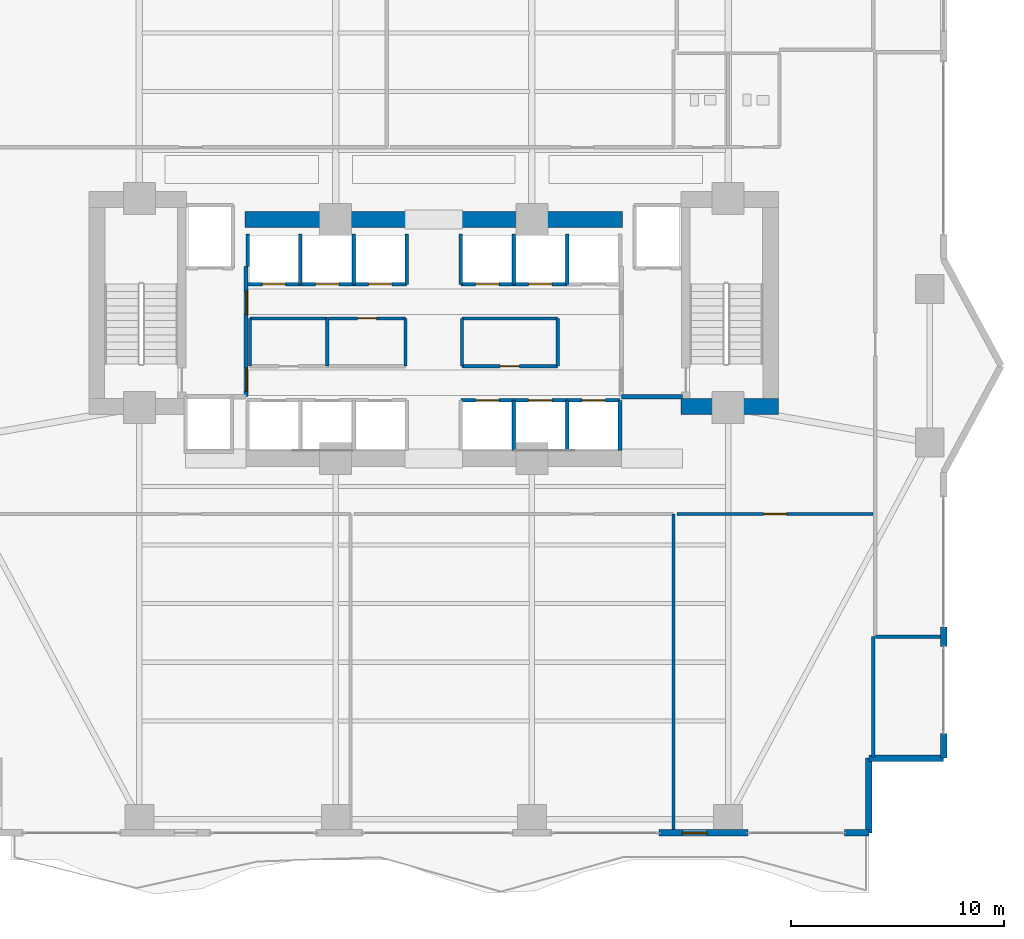
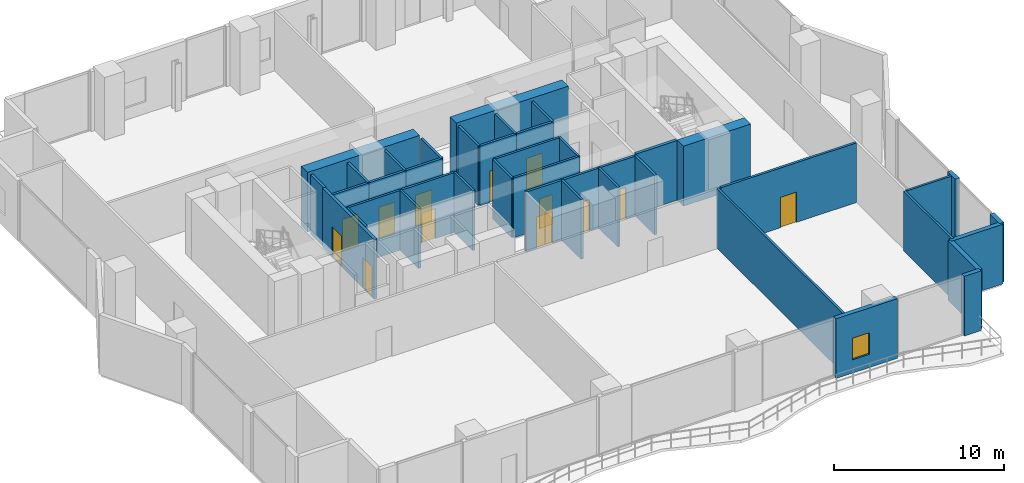
# One storey, part 27 of 33: 42 walls, 13 doors, 1 window, 14 openings.
"""IFC4 building model written with IfcOpenShell, lengths in metres."""

from ifc_helpers import new_model, si_unit, direction, frame, frame_2d, origin, place, context, subcontext, project, spatial, rectangle, extrude, material, layer, layer_set, type_object, element, fill, save


model = new_model("IFC4")

# Units and contexts
model_context = context("Model", 3, precision=1e-05, world=origin(), true_north=direction((0.0, 1.0)))
body_context = subcontext(model_context, "Body", "Model", "MODEL_VIEW")
ifc_project = project(units=[si_unit("LENGTHUNIT", "METRE"), si_unit("AREAUNIT", "SQUARE_METRE"), si_unit("VOLUMEUNIT", "CUBIC_METRE"), si_unit("PLANEANGLEUNIT", "RADIAN"), si_unit("MASSUNIT", "GRAM", prefix="KILO")], contexts=[model_context])

# Site, building, storey
site_placement = place(None, origin())
site = spatial("IfcSite", under=ifc_project, at=site_placement, CompositionType="ELEMENT")
building_placement = place(site_placement, origin())
building = spatial("IfcBuilding", under=site, at=building_placement, Name="Zuhayl Quay Hotel", CompositionType="ELEMENT")
storey_placement = place(building_placement, frame((0.0, 0.0, 154.050048828125)))
storey = spatial("IfcBuildingStorey", under=building, at=storey_placement, Name="L39", CompositionType="ELEMENT", Elevation=154.050048828125)

# Walls
ifc_material_1 = material(Name="Concrete C60/75", Category="concrete")
ifc_layer_1 = layer(ifc_material_1, 0.75, Name="Concrete C60/75", Category="concrete")
ifc_layer_set_1 = layer_set([ifc_layer_1], Name="Concrete C60/75")
wall_type_1 = type_object("IfcWallType", Name="WL_CORE_750", PredefinedType="SHEAR", material=ifc_layer_set_1)
wall_1_placement = place(storey_placement, frame((11.60009765625, 4.594970703125, 0.0), z_axis=(0.0, 0.0, 1.0), x_axis=(1.0, 0.0, 0.0)))
element("IfcWall", 1, at=wall_1_placement, inside=storey, type_object=wall_type_1, Name="L39 Core Shear Wall CW_SE", PredefinedType="SHEAR", context=body_context, shape_type="SweptSolid", body=[
    extrude(rectangle(XDim=4.559814453125, YDim=0.75, at=frame_2d((2.27978515625, 0.0))), origin(), (0.0, 0.0, 1.0), 4.31005859375),
])
for number, where, z_axis, x_axis, name in (
    (2, (-8.85009765625, 13.35009765625, 0.0), (0.0, 0.0, 1.0), (1.0, 0.0, 0.0), "L39 Core Shear Wall CW_NC_W"),
    (3, (1.25, 13.35009765625, 0.0), (0.0, 0.0, 1.0), (1.0, 0.0, 0.0), "L39 Core Shear Wall CW_NC_E"),
):
    element("IfcWall", number, at=place(storey_placement, frame(where, z_axis=z_axis, x_axis=x_axis)), inside=storey, type_object=wall_type_1, Name=name, PredefinedType="SHEAR", context=body_context, shape_type="SweptSolid", body=[
        extrude(rectangle(XDim=7.60009765625, YDim=0.75, at=frame_2d((3.800048828125, 0.0))), origin(), (0.0, 0.0, 1.0), 4.280029296875),
    ])
ifc_material_2 = material(Name="Precast concrete C45/55", Category="concrete")
ifc_layer_2 = layer(ifc_material_2, 0.300048828125, Name="Precast concrete C45/55", Category="concrete")
ifc_layer_set_2 = layer_set([ifc_layer_2], Name="Precast concrete C45/55")
wall_type_2 = type_object("IfcWallType", Name="WL_EXT_300", PredefinedType="STANDARD", material=ifc_layer_set_2)
wall_2_placement = place(storey_placement, frame((23.89990234375, -5.75, 0.0), z_axis=(0.0, 0.0, 1.0), x_axis=(0.0, -1.0, 0.0)))
element("IfcWall", 4, at=wall_2_placement, inside=storey, type_object=wall_type_2, Name="L39 Exterior Precast Wall ENV_L39_E14_EW2", PredefinedType="STANDARD", context=body_context, shape_type="SweptSolid", body=[
    extrude(rectangle(XDim=0.89990234375, YDim=0.300048828125, at=frame_2d((0.449951171875, 0.0))), origin(), (0.0, 0.0, 1.0), 4.280029296875),
])
wall_3_placement = place(storey_placement, frame((23.89990234375, -10.75, 0.0), z_axis=(0.0, 0.0, 1.0), x_axis=(0.0, -1.0, 0.0)))
element("IfcWall", 5, at=wall_3_placement, inside=storey, type_object=wall_type_2, Name="L39 Exterior Precast Wall ENV_L39_E14_EW3", PredefinedType="STANDARD", context=body_context, shape_type="SweptSolid", body=[
    extrude(rectangle(XDim=1.14990234375, YDim=0.300048828125, at=frame_2d((0.574951171875, 0.0))), origin(), (0.0, 0.0, 1.0), 4.280029296875),
])
for number, where, z_axis, x_axis, name in (
    (6, (23.89990234375, -11.89990234375, 0.0), (0.0, 0.0, 1.0), (-1.0, 0.0, 0.0), "L39 Exterior Precast Wall ENV_L39_EW15"),
    (7, (20.39990234375, -11.89990234375, 0.0), (0.0, 0.0, 1.0), (0.0, -1.0, 0.0), "L39 Exterior Precast Wall ENV_L39_EW16"),
):
    element("IfcWall", number, at=place(storey_placement, frame(where, z_axis=z_axis, x_axis=x_axis)), inside=storey, type_object=wall_type_2, Name=name, PredefinedType="STANDARD", context=body_context, shape_type="SweptSolid", body=[
        extrude(rectangle(XDim=3.5, YDim=0.300048828125, at=frame_2d((1.75, 0.0))), origin(), (0.0, 0.0, 1.0), 4.280029296875),
    ])
wall_4_placement = place(storey_placement, frame((20.39990234375, -15.39990234375, 0.0), z_axis=(0.0, 0.0, 1.0), x_axis=(-1.0, 0.0, 0.0)))
element("IfcWall", 8, at=wall_4_placement, inside=storey, type_object=wall_type_2, Name="L39 Exterior Precast Wall ENV_L39_S_EW1", PredefinedType="STANDARD", context=body_context, shape_type="SweptSolid", body=[
    extrude(rectangle(XDim=1.14990234375, YDim=0.300048828125, at=frame_2d((0.574951171875, 0.0))), origin(), (0.0, 0.0, 1.0), 4.280029296875),
])

# Wall, opening, window
wall_5_placement = place(storey_placement, frame((14.719970703125, -15.39990234375, 0.0), z_axis=(0.0, 0.0, 1.0), x_axis=(-1.0, 0.0, 0.0)))
wall_5 = element("IfcWall", 9, at=wall_5_placement, inside=storey, type_object=wall_type_2, Name="L39 Exterior Precast Wall ENV_L39_S_EW2", PredefinedType="STANDARD", context=body_context, shape_type="SweptSolid", body=[
    extrude(rectangle(XDim=4.169921875, YDim=0.300048828125, at=frame_2d((2.0849609375, 0.0))), origin(), (0.0, 0.0, 1.0), 4.280029296875),
])
opening_1_placement = place(wall_5_placement, frame((1.9150390625, 0.0, 0.949951171875)))
opening_1 = element("IfcOpeningElement", 10, at=opening_1_placement, cuts=wall_5, Name="Opening W01N", PredefinedType="OPENING", context=body_context, shape_type="SweptSolid", body=[
    extrude(rectangle(XDim=1.14990234375, YDim=1.550048828125, at=frame_2d((0.574951171875, 0.77490234375))), frame((0.0, 0.159912109375, 0.0), z_axis=(0.0, -1.0, 0.0), x_axis=(1.0, 0.0, 0.0)), (0.0, 0.0, 1.0), 0.320068359375),
])
ifc_material_3 = material(Name="Dark Ceramic-Fritted Solar Glass", Category="glass")
window_type = type_object("IfcWindowType", Name="WN_NOTCH_1350", PartitioningType="SINGLE_PANEL", PredefinedType="WINDOW", material=ifc_material_3)
window_placement = place(opening_1_placement, origin())
window = element("IfcWindow", 11, at=window_placement, inside=storey, type_object=window_type, Name="L39 Operable Facade Window 2-1", OverallHeight=1.550048828125, OverallWidth=1.14990234375, PartitioningType="SINGLE_PANEL", PredefinedType="WINDOW", context=body_context, shape_type="SweptSolid", body=[
    extrude(rectangle(XDim=1.14990234375, YDim=1.550048828125, at=frame_2d((0.574951171875, 0.77490234375))), frame((0.0, 0.030029296875, 0.0), z_axis=(0.0, -1.0, 0.0), x_axis=(1.0, 0.0, 0.0)), (0.0, 0.0, 1.0), 0.06005859375),
])
fill(opening_1, window)

# Wall, opening, door
ifc_material_4 = material(Name="Acoustic Gypsum Partition STC-58")
ifc_layer_3 = layer(ifc_material_4, 0.14990234375, Name="Acoustic Gypsum Partition STC-58")
ifc_layer_set_3 = layer_set([ifc_layer_3], Name="Acoustic Gypsum Partition STC-58")
wall_type_3 = type_object("IfcWallType", Name="WL_PART_150", PredefinedType="PARTITIONING", material=ifc_layer_set_3)
wall_6_placement = place(storey_placement, frame((-4.929931640625, 8.719970703125, 0.0), z_axis=(0.0, 0.0, 1.0), x_axis=(1.0, 0.0, 0.0)))
wall_6 = element("IfcWall", 12, at=wall_6_placement, inside=storey, type_object=wall_type_3, Name="L39 Partition IW_L39_CORE_BM_N", PredefinedType="PARTITIONING", context=body_context, shape_type="SweptSolid", body=[
    extrude(rectangle(XDim=3.60986328125, YDim=0.14990234375, at=frame_2d((1.804931640625, 0.0))), origin(), (0.0, 0.0, 1.0), 4.280029296875),
])
opening_2_placement = place(wall_6_placement, frame((1.35498046875, 0.0, 0.0)))
opening_2 = element("IfcOpeningElement", 13, at=opening_2_placement, cuts=wall_6, Name="Opening D06", PredefinedType="OPENING", context=body_context, shape_type="SweptSolid", body=[
    extrude(rectangle(XDim=0.89990234375, YDim=2.14990234375, at=frame_2d((0.449951171875, 1.074951171875))), frame((0.0, 0.0849609375, 0.0), z_axis=(0.0, -1.0, 0.0), x_axis=(1.0, 0.0, 0.0)), (0.0, 0.0, 1.0), 0.169921875),
])
ifc_material_5 = material(Name="Steel ASTM A992 Grade 50", Category="steel")
door_type_1 = type_object("IfcDoorType", Name="DR_INT_900", OperationType="NOTDEFINED", PredefinedType="DOOR", material=ifc_material_5)
door_1_placement = place(opening_2_placement, origin())
door_1 = element("IfcDoor", 14, at=door_1_placement, inside=storey, type_object=door_type_1, Name="L39 Telecom and BMS Closet Door", OperationType="SINGLE_SWING_LEFT", OverallHeight=2.14990234375, OverallWidth=0.89990234375, PredefinedType="DOOR", context=body_context, shape_type="SweptSolid", body=[
    extrude(rectangle(XDim=0.89990234375, YDim=2.14990234375, at=frame_2d((0.449951171875, 1.074951171875))), frame((0.0, 0.02490234375, 0.0), z_axis=(0.0, -1.0, 0.0), x_axis=(1.0, 0.0, 0.0)), (0.0, 0.0, 1.0), 0.050048828125),
])
fill(opening_2, door_1)

wall_7_placement = place(storey_placement, frame((1.320068359375, 6.47998046875, 0.0), z_axis=(0.0, 0.0, 1.0), x_axis=(1.0, 0.0, 0.0)))
wall_7 = element("IfcWall", 15, at=wall_7_placement, inside=storey, type_object=wall_type_3, Name="L39 Partition IW_L39_CORE_PN_S", PredefinedType="PARTITIONING", context=body_context, shape_type="SweptSolid", body=[
    extrude(rectangle(XDim=4.489990234375, YDim=0.14990234375, at=frame_2d((2.2451171875, 0.0))), origin(), (0.0, 0.0, 1.0), 4.280029296875),
])
opening_3_placement = place(wall_7_placement, frame((1.794921875, 0.0, 0.0)))
opening_3 = element("IfcOpeningElement", 16, at=opening_3_placement, cuts=wall_7, Name="Opening D06", PredefinedType="OPENING", context=body_context, shape_type="SweptSolid", body=[
    extrude(rectangle(XDim=0.89990234375, YDim=2.14990234375, at=frame_2d((0.449951171875, 1.074951171875))), frame((0.0, 0.0849609375, 0.0), z_axis=(0.0, -1.0, 0.0), x_axis=(1.0, 0.0, 0.0)), (0.0, 0.0, 1.0), 0.169921875),
])
door_2_placement = place(opening_3_placement, origin())
door_2 = element("IfcDoor", 17, at=door_2_placement, inside=storey, type_object=door_type_1, Name="L39 Core Ice and Pantry Room Door", OperationType="SINGLE_SWING_RIGHT", OverallHeight=2.14990234375, OverallWidth=0.89990234375, PredefinedType="DOOR", context=body_context, shape_type="SweptSolid", body=[
    extrude(rectangle(XDim=0.89990234375, YDim=2.14990234375, at=frame_2d((0.449951171875, 1.074951171875))), frame((0.0, 0.02490234375, 0.0), z_axis=(0.0, -1.0, 0.0), x_axis=(1.0, 0.0, 0.0)), (0.0, 0.0, 1.0), 0.050048828125),
])
fill(opening_3, door_2)

# Walls
wall_8_placement = place(storey_placement, frame((-8.610107421875, 8.719970703125, 0.0), z_axis=(0.0, 0.0, 1.0), x_axis=(1.0, 0.0, 0.0)))
element("IfcWall", 18, at=wall_8_placement, inside=storey, type_object=wall_type_3, Name="L39 Partition IW_L39_CORE_SW_N", PredefinedType="PARTITIONING", context=body_context, shape_type="SweptSolid", body=[
    extrude(rectangle(XDim=3.6201171875, YDim=0.14990234375, at=frame_2d((1.81005859375, 0.0))), origin(), (0.0, 0.0, 1.0), 4.280029296875),
])
for number, where, z_axis, x_axis, name in (
    (19, (-8.610107421875, 6.47998046875, 0.0), (0.0, 0.0, 1.0), (0.0, 1.0, 0.0), "L39 Partition IW_L39_CORE_SW_W"),
    (20, (-4.989990234375, 6.47998046875, 0.0), (0.0, 0.0, 1.0), (0.0, 1.0, 0.0), "L39 Partition IW_L39_CORE_SW_E"),
    (21, (-1.320068359375, 6.47998046875, 0.0), (0.0, 0.0, 1.0), (0.0, 1.0, 0.0), "L39 Partition IW_L39_CORE_BM_E"),
):
    element("IfcWall", number, at=place(storey_placement, frame(where, z_axis=z_axis, x_axis=x_axis)), inside=storey, type_object=wall_type_3, Name=name, PredefinedType="PARTITIONING", context=body_context, shape_type="SweptSolid", body=[
        extrude(rectangle(XDim=2.239990234375, YDim=0.14990234375, at=frame_2d((1.1201171875, 0.0))), origin(), (0.0, 0.0, 1.0), 4.280029296875),
    ])
wall_9_placement = place(storey_placement, frame((1.320068359375, 8.719970703125, 0.0), z_axis=(0.0, 0.0, 1.0), x_axis=(1.0, 0.0, 0.0)))
element("IfcWall", 22, at=wall_9_placement, inside=storey, type_object=wall_type_3, Name="L39 Partition IW_L39_CORE_PN_N", PredefinedType="PARTITIONING", context=body_context, shape_type="SweptSolid", body=[
    extrude(rectangle(XDim=4.489990234375, YDim=0.14990234375, at=frame_2d((2.2451171875, 0.0))), origin(), (0.0, 0.0, 1.0), 4.280029296875),
])
for number, where, z_axis, x_axis, name in (
    (23, (1.320068359375, 6.47998046875, 0.0), (0.0, 0.0, 1.0), (0.0, 1.0, 0.0), "L39 Partition IW_L39_CORE_PN_W"),
    (24, (5.81005859375, 6.47998046875, 0.0), (0.0, 0.0, 1.0), (0.0, 1.0, 0.0), "L39 Partition IW_L39_CORE_PN_E"),
):
    element("IfcWall", number, at=place(storey_placement, frame(where, z_axis=z_axis, x_axis=x_axis)), inside=storey, type_object=wall_type_3, Name=name, PredefinedType="PARTITIONING", context=body_context, shape_type="SweptSolid", body=[
        extrude(rectangle(XDim=2.239990234375, YDim=0.14990234375, at=frame_2d((1.1201171875, 0.0))), origin(), (0.0, 0.0, 1.0), 4.280029296875),
    ])
wall_10_placement = place(storey_placement, frame((20.699951171875, -6.199951171875, 0.0), z_axis=(0.0, 0.0, 1.0), x_axis=(1.0, 0.0, 0.0)))
element("IfcWall", 25, at=wall_10_placement, inside=storey, type_object=wall_type_3, Name="L39 Partition IW_L39_SKY_VIP_E_S", PredefinedType="PARTITIONING", context=body_context, shape_type="SweptSolid", body=[
    extrude(rectangle(XDim=3.14013671875, YDim=0.14990234375, at=frame_2d((1.570068359375, 0.0))), origin(), (0.0, 0.0, 1.0), 4.280029296875),
])
wall_11_placement = place(storey_placement, frame((11.239990234375, -15.340087890625, 0.0), z_axis=(0.0, 0.0, 1.0), x_axis=(0.0, 1.0, 0.0)))
element("IfcWall", 26, at=wall_11_placement, inside=storey, type_object=wall_type_3, Name="L39 Partition IW_L39_EXEC_MEET_E", PredefinedType="PARTITIONING", context=body_context, shape_type="SweptSolid", body=[
    extrude(rectangle(XDim=14.89013671875, YDim=0.14990234375, at=frame_2d((7.445068359375, 0.0))), origin(), (0.0, 0.0, 1.0), 4.280029296875),
])
wall_12_placement = place(storey_placement, frame((20.60009765625, -11.840087890625, 0.0), z_axis=(0.0, 0.0, 1.0), x_axis=(0.0, 1.0, 0.0)))
element("IfcWall", 27, at=wall_12_placement, inside=storey, type_object=wall_type_3, Name="L39 Partition IW_L39_PANTRY_39_E", PredefinedType="PARTITIONING", context=body_context, shape_type="SweptSolid", body=[
    extrude(rectangle(XDim=5.64013671875, YDim=0.14990234375, at=frame_2d((2.820068359375, 0.0))), origin(), (0.0, 0.0, 1.0), 4.280029296875),
])

# Wall, opening, door
ifc_layer_4 = layer(ifc_material_4, 0.159912109375, Name="Acoustic Gypsum Partition STC-58")
ifc_layer_set_4 = layer_set([ifc_layer_4], Name="Acoustic Gypsum Partition STC-58")
wall_type_4 = type_object("IfcWallType", Name="WL_PART_CORR_160", PredefinedType="PARTITIONING", material=ifc_layer_set_4)
wall_13_placement = place(storey_placement, frame((11.39990234375, -0.449951171875, 0.0), z_axis=(0.0, 0.0, 1.0), x_axis=(1.0, 0.0, 0.0)))
wall_13 = element("IfcWall", 28, at=wall_13_placement, inside=storey, type_object=wall_type_4, Name="L39 Partition IW_L39_PANTRY_39_N", PredefinedType="PARTITIONING", context=body_context, shape_type="SweptSolid", body=[
    extrude(rectangle(XDim=9.2001953125, YDim=0.159912109375, at=frame_2d((4.60009765625, 0.0))), origin(), (0.0, 0.0, 1.0), 4.280029296875),
])
opening_4_placement = place(wall_13_placement, frame((4.06005859375, 0.0, 0.0)))
opening_4 = element("IfcOpeningElement", 29, at=opening_4_placement, cuts=wall_13, Name="Opening D05A", PredefinedType="OPENING", context=body_context, shape_type="SweptSolid", body=[
    extrude(rectangle(XDim=1.080078125, YDim=2.179931640625, at=frame_2d((0.5400390625, 1.08984375))), frame((0.0, 0.08984375, 0.0), z_axis=(0.0, -1.0, 0.0), x_axis=(1.0, 0.0, 0.0)), (0.0, 0.0, 1.0), 0.179931640625),
])
ifc_material_6 = material(Name="Solid Walnut Acoustic Fire Door")
door_type_2 = type_object("IfcDoorType", Name="DR_INT_1100", OperationType="NOTDEFINED", PredefinedType="DOOR", material=ifc_material_6)
door_3_placement = place(opening_4_placement, origin())
door_3 = element("IfcDoor", 30, at=door_3_placement, inside=storey, type_object=door_type_2, Name="L39 Sky Lobby Servery Kitchen Door", OperationType="SINGLE_SWING_LEFT", OverallHeight=2.179931640625, OverallWidth=1.080078125, PredefinedType="DOOR", context=body_context, shape_type="SweptSolid", body=[
    extrude(rectangle(XDim=1.080078125, YDim=2.179931640625, at=frame_2d((0.5400390625, 1.08984375))), frame((0.0, 0.02490234375, 0.0), z_axis=(0.0, -1.0, 0.0), x_axis=(1.0, 0.0, 0.0)), (0.0, 0.0, 1.0), 0.050048828125),
])
fill(opening_4, door_3)

ifc_material_7 = material(Name="Gypsum Fireboard Assembly EI-90")
ifc_layer_5 = layer(ifc_material_7, 0.1650390625, Name="Gypsum Fireboard Assembly EI-90")
ifc_layer_set_5 = layer_set([ifc_layer_5], Name="Gypsum Fireboard Assembly EI-90")
wall_type_5 = type_object("IfcWallType", Name="WL_PART_SHAFT_160", PredefinedType="PARTITIONING", material=ifc_layer_set_5)
wall_14_placement = place(storey_placement, frame((-8.72998046875, 10.320068359375, 0.0), z_axis=(0.0, 0.0, 1.0), x_axis=(1.0, 0.0, 0.0)))
wall_14 = element("IfcWall", 31, at=wall_14_placement, inside=storey, type_object=wall_type_5, Name="L39 Partition IW_L39_SH_LP3_F", PredefinedType="PARTITIONING", context=body_context, shape_type="SweptSolid", body=[
    extrude(rectangle(XDim=2.47998046875, YDim=0.1650390625, at=frame_2d((1.239990234375, 0.0))), origin(), (0.0, 0.0, 1.0), 4.280029296875),
])
opening_5_placement = place(wall_14_placement, frame((0.68994140625, 0.0, 0.0)))
opening_5 = element("IfcOpeningElement", 32, at=opening_5_placement, cuts=wall_14, Name="Opening LD1", PredefinedType="OPENING", context=body_context, shape_type="SweptSolid", body=[
    extrude(rectangle(XDim=1.10009765625, YDim=2.25, at=frame_2d((0.550048828125, 1.125))), frame((0.0, 0.092529296875, 0.0), z_axis=(0.0, -1.0, 0.0), x_axis=(1.0, 0.0, 0.0)), (0.0, 0.0, 1.0), 0.18505859375),
])
ifc_material_8 = material(Name="Brushed Stainless Steel", Category="steel")
door_type_3 = type_object("IfcDoorType", Name="DR_LIFT_PASS_1100", OperationType="SLIDING_TO_LEFT", PredefinedType="DOOR", material=ifc_material_8)
door_4_placement = place(opening_5_placement, origin())
door_4 = element("IfcDoor", 33, at=door_4_placement, inside=storey, type_object=door_type_3, Name="L39 Lift LP3 Sliding Landing Door", OperationType="SLIDING_TO_LEFT", OverallHeight=2.25, OverallWidth=1.10009765625, PredefinedType="DOOR", context=body_context, shape_type="SweptSolid", body=[
    extrude(rectangle(XDim=1.10009765625, YDim=2.25, at=frame_2d((0.550048828125, 1.125))), frame((0.0, 0.02490234375, 0.0), z_axis=(0.0, -1.0, 0.0), x_axis=(1.0, 0.0, 0.0)), (0.0, 0.0, 1.0), 0.050048828125),
])
fill(opening_5, door_4)

wall_15_placement = place(storey_placement, frame((-6.25, 10.320068359375, 0.0), z_axis=(0.0, 0.0, 1.0), x_axis=(1.0, 0.0, 0.0)))
wall_15 = element("IfcWall", 34, at=wall_15_placement, inside=storey, type_object=wall_type_5, Name="L39 Partition IW_L39_SH_LP4_F", PredefinedType="PARTITIONING", context=body_context, shape_type="SweptSolid", body=[
    extrude(rectangle(XDim=2.5, YDim=0.1650390625, at=frame_2d((1.25, 0.0))), origin(), (0.0, 0.0, 1.0), 4.280029296875),
])
opening_6_placement = place(wall_15_placement, frame((0.699951171875, 0.0, 0.0)))
opening_6 = element("IfcOpeningElement", 35, at=opening_6_placement, cuts=wall_15, Name="Opening LD1", PredefinedType="OPENING", context=body_context, shape_type="SweptSolid", body=[
    extrude(rectangle(XDim=1.10009765625, YDim=2.25, at=frame_2d((0.550048828125, 1.125))), frame((0.0, 0.092529296875, 0.0), z_axis=(0.0, -1.0, 0.0), x_axis=(1.0, 0.0, 0.0)), (0.0, 0.0, 1.0), 0.18505859375),
])
door_5_placement = place(opening_6_placement, origin())
door_5 = element("IfcDoor", 36, at=door_5_placement, inside=storey, type_object=door_type_3, Name="L39 Lift LP4 Sliding Landing Door", OperationType="SLIDING_TO_LEFT", OverallHeight=2.25, OverallWidth=1.10009765625, PredefinedType="DOOR", context=body_context, shape_type="SweptSolid", body=[
    extrude(rectangle(XDim=1.10009765625, YDim=2.25, at=frame_2d((0.550048828125, 1.125))), frame((0.0, 0.02490234375, 0.0), z_axis=(0.0, -1.0, 0.0), x_axis=(1.0, 0.0, 0.0)), (0.0, 0.0, 1.0), 0.050048828125),
])
fill(opening_6, door_5)

wall_16_placement = place(storey_placement, frame((1.27001953125, 4.8798828125, 0.0), z_axis=(0.0, 0.0, 1.0), x_axis=(1.0, 0.0, 0.0)))
wall_16 = element("IfcWall", 37, at=wall_16_placement, inside=storey, type_object=wall_type_5, Name="L39 Partition IW_L39_SH_MP2_F", PredefinedType="PARTITIONING", context=body_context, shape_type="SweptSolid", body=[
    extrude(rectangle(XDim=2.47998046875, YDim=0.1650390625, at=frame_2d((1.239990234375, 0.0))), origin(), (0.0, 0.0, 1.0), 4.280029296875),
])
opening_7_placement = place(wall_16_placement, frame((0.68994140625, 0.0, 0.0)))
opening_7 = element("IfcOpeningElement", 38, at=opening_7_placement, cuts=wall_16, Name="Opening LD1", PredefinedType="OPENING", context=body_context, shape_type="SweptSolid", body=[
    extrude(rectangle(XDim=1.10009765625, YDim=2.25, at=frame_2d((0.550048828125, 1.125))), frame((0.0, 0.092529296875, 0.0), z_axis=(0.0, -1.0, 0.0), x_axis=(1.0, 0.0, 0.0)), (0.0, 0.0, 1.0), 0.18505859375),
])
door_6_placement = place(opening_7_placement, origin())
door_6 = element("IfcDoor", 39, at=door_6_placement, inside=storey, type_object=door_type_3, Name="L39 Lift MP2 Sliding Landing Door", OperationType="SLIDING_TO_LEFT", OverallHeight=2.25, OverallWidth=1.10009765625, PredefinedType="DOOR", context=body_context, shape_type="SweptSolid", body=[
    extrude(rectangle(XDim=1.10009765625, YDim=2.25, at=frame_2d((0.550048828125, 1.125))), frame((0.0, 0.02490234375, 0.0), z_axis=(0.0, -1.0, 0.0), x_axis=(1.0, 0.0, 0.0)), (0.0, 0.0, 1.0), 0.050048828125),
])
fill(opening_7, door_6)

wall_17_placement = place(storey_placement, frame((-3.75, 10.320068359375, 0.0), z_axis=(0.0, 0.0, 1.0), x_axis=(1.0, 0.0, 0.0)))
wall_17 = element("IfcWall", 40, at=wall_17_placement, inside=storey, type_object=wall_type_5, Name="L39 Partition IW_L39_SH_MP3_F", PredefinedType="PARTITIONING", context=body_context, shape_type="SweptSolid", body=[
    extrude(rectangle(XDim=2.47998046875, YDim=0.1650390625, at=frame_2d((1.239990234375, 0.0))), origin(), (0.0, 0.0, 1.0), 4.280029296875),
])
opening_8_placement = place(wall_17_placement, frame((0.68994140625, 0.0, 0.0)))
opening_8 = element("IfcOpeningElement", 41, at=opening_8_placement, cuts=wall_17, Name="Opening LD1", PredefinedType="OPENING", context=body_context, shape_type="SweptSolid", body=[
    extrude(rectangle(XDim=1.10009765625, YDim=2.25, at=frame_2d((0.550048828125, 1.125))), frame((0.0, 0.092529296875, 0.0), z_axis=(0.0, -1.0, 0.0), x_axis=(1.0, 0.0, 0.0)), (0.0, 0.0, 1.0), 0.18505859375),
])
door_7_placement = place(opening_8_placement, origin())
door_7 = element("IfcDoor", 42, at=door_7_placement, inside=storey, type_object=door_type_3, Name="L39 Lift MP3 Sliding Landing Door", OperationType="SLIDING_TO_LEFT", OverallHeight=2.25, OverallWidth=1.10009765625, PredefinedType="DOOR", context=body_context, shape_type="SweptSolid", body=[
    extrude(rectangle(XDim=1.10009765625, YDim=2.25, at=frame_2d((0.550048828125, 1.125))), frame((0.0, 0.02490234375, 0.0), z_axis=(0.0, -1.0, 0.0), x_axis=(1.0, 0.0, 0.0)), (0.0, 0.0, 1.0), 0.050048828125),
])
fill(opening_8, door_7)

wall_18_placement = place(storey_placement, frame((1.27001953125, 10.320068359375, 0.0), z_axis=(0.0, 0.0, 1.0), x_axis=(1.0, 0.0, 0.0)))
wall_18 = element("IfcWall", 43, at=wall_18_placement, inside=storey, type_object=wall_type_5, Name="L39 Partition IW_L39_SH_MP4_F", PredefinedType="PARTITIONING", context=body_context, shape_type="SweptSolid", body=[
    extrude(rectangle(XDim=2.47998046875, YDim=0.1650390625, at=frame_2d((1.239990234375, 0.0))), origin(), (0.0, 0.0, 1.0), 4.280029296875),
])
opening_9_placement = place(wall_18_placement, frame((0.68994140625, 0.0, 0.0)))
opening_9 = element("IfcOpeningElement", 44, at=opening_9_placement, cuts=wall_18, Name="Opening LD1", PredefinedType="OPENING", context=body_context, shape_type="SweptSolid", body=[
    extrude(rectangle(XDim=1.10009765625, YDim=2.25, at=frame_2d((0.550048828125, 1.125))), frame((0.0, 0.092529296875, 0.0), z_axis=(0.0, -1.0, 0.0), x_axis=(1.0, 0.0, 0.0)), (0.0, 0.0, 1.0), 0.18505859375),
])
door_8_placement = place(opening_9_placement, origin())
door_8 = element("IfcDoor", 45, at=door_8_placement, inside=storey, type_object=door_type_3, Name="L39 Lift MP4 Sliding Landing Door", OperationType="SLIDING_TO_LEFT", OverallHeight=2.25, OverallWidth=1.10009765625, PredefinedType="DOOR", context=body_context, shape_type="SweptSolid", body=[
    extrude(rectangle(XDim=1.10009765625, YDim=2.25, at=frame_2d((0.550048828125, 1.125))), frame((0.0, 0.02490234375, 0.0), z_axis=(0.0, -1.0, 0.0), x_axis=(1.0, 0.0, 0.0)), (0.0, 0.0, 1.0), 0.050048828125),
])
fill(opening_9, door_8)

wall_19_placement = place(storey_placement, frame((3.75, 4.8798828125, 0.0), z_axis=(0.0, 0.0, 1.0), x_axis=(1.0, 0.0, 0.0)))
wall_19 = element("IfcWall", 46, at=wall_19_placement, inside=storey, type_object=wall_type_5, Name="L39 Partition IW_L39_SH_HP1_F", PredefinedType="PARTITIONING", context=body_context, shape_type="SweptSolid", body=[
    extrude(rectangle(XDim=2.5, YDim=0.1650390625, at=frame_2d((1.25, 0.0))), origin(), (0.0, 0.0, 1.0), 4.280029296875),
])
opening_10_placement = place(wall_19_placement, frame((0.699951171875, 0.0, 0.0)))
opening_10 = element("IfcOpeningElement", 47, at=opening_10_placement, cuts=wall_19, Name="Opening LD1", PredefinedType="OPENING", context=body_context, shape_type="SweptSolid", body=[
    extrude(rectangle(XDim=1.10009765625, YDim=2.25, at=frame_2d((0.550048828125, 1.125))), frame((0.0, 0.092529296875, 0.0), z_axis=(0.0, -1.0, 0.0), x_axis=(1.0, 0.0, 0.0)), (0.0, 0.0, 1.0), 0.18505859375),
])
door_9_placement = place(opening_10_placement, origin())
door_9 = element("IfcDoor", 48, at=door_9_placement, inside=storey, type_object=door_type_3, Name="L39 Lift HP1 Sliding Landing Door", OperationType="SLIDING_TO_LEFT", OverallHeight=2.25, OverallWidth=1.10009765625, PredefinedType="DOOR", context=body_context, shape_type="SweptSolid", body=[
    extrude(rectangle(XDim=1.10009765625, YDim=2.25, at=frame_2d((0.550048828125, 1.125))), frame((0.0, 0.02490234375, 0.0), z_axis=(0.0, -1.0, 0.0), x_axis=(1.0, 0.0, 0.0)), (0.0, 0.0, 1.0), 0.050048828125),
])
fill(opening_10, door_9)

wall_20_placement = place(storey_placement, frame((6.25, 4.8798828125, 0.0), z_axis=(0.0, 0.0, 1.0), x_axis=(1.0, 0.0, 0.0)))
wall_20 = element("IfcWall", 49, at=wall_20_placement, inside=storey, type_object=wall_type_5, Name="L39 Partition IW_L39_SH_HP2_F", PredefinedType="PARTITIONING", context=body_context, shape_type="SweptSolid", body=[
    extrude(rectangle(XDim=2.47998046875, YDim=0.1650390625, at=frame_2d((1.239990234375, 0.0))), origin(), (0.0, 0.0, 1.0), 4.280029296875),
])
opening_11_placement = place(wall_20_placement, frame((0.68994140625, 0.0, 0.0)))
opening_11 = element("IfcOpeningElement", 50, at=opening_11_placement, cuts=wall_20, Name="Opening LD1", PredefinedType="OPENING", context=body_context, shape_type="SweptSolid", body=[
    extrude(rectangle(XDim=1.10009765625, YDim=2.25, at=frame_2d((0.550048828125, 1.125))), frame((0.0, 0.092529296875, 0.0), z_axis=(0.0, -1.0, 0.0), x_axis=(1.0, 0.0, 0.0)), (0.0, 0.0, 1.0), 0.18505859375),
])
door_10_placement = place(opening_11_placement, origin())
door_10 = element("IfcDoor", 51, at=door_10_placement, inside=storey, type_object=door_type_3, Name="L39 Lift HP2 Sliding Landing Door", OperationType="SLIDING_TO_LEFT", OverallHeight=2.25, OverallWidth=1.10009765625, PredefinedType="DOOR", context=body_context, shape_type="SweptSolid", body=[
    extrude(rectangle(XDim=1.10009765625, YDim=2.25, at=frame_2d((0.550048828125, 1.125))), frame((0.0, 0.02490234375, 0.0), z_axis=(0.0, -1.0, 0.0), x_axis=(1.0, 0.0, 0.0)), (0.0, 0.0, 1.0), 0.050048828125),
])
fill(opening_11, door_10)

wall_21_placement = place(storey_placement, frame((3.75, 10.320068359375, 0.0), z_axis=(0.0, 0.0, 1.0), x_axis=(1.0, 0.0, 0.0)))
wall_21 = element("IfcWall", 52, at=wall_21_placement, inside=storey, type_object=wall_type_5, Name="L39 Partition IW_L39_SH_HP3_F", PredefinedType="PARTITIONING", context=body_context, shape_type="SweptSolid", body=[
    extrude(rectangle(XDim=2.5, YDim=0.1650390625, at=frame_2d((1.25, 0.0))), origin(), (0.0, 0.0, 1.0), 4.280029296875),
])
opening_12_placement = place(wall_21_placement, frame((0.699951171875, 0.0, 0.0)))
opening_12 = element("IfcOpeningElement", 53, at=opening_12_placement, cuts=wall_21, Name="Opening LD1", PredefinedType="OPENING", context=body_context, shape_type="SweptSolid", body=[
    extrude(rectangle(XDim=1.10009765625, YDim=2.25, at=frame_2d((0.550048828125, 1.125))), frame((0.0, 0.092529296875, 0.0), z_axis=(0.0, -1.0, 0.0), x_axis=(1.0, 0.0, 0.0)), (0.0, 0.0, 1.0), 0.18505859375),
])
door_11_placement = place(opening_12_placement, origin())
door_11 = element("IfcDoor", 54, at=door_11_placement, inside=storey, type_object=door_type_3, Name="L39 Lift HP3 Sliding Landing Door", OperationType="SLIDING_TO_LEFT", OverallHeight=2.25, OverallWidth=1.10009765625, PredefinedType="DOOR", context=body_context, shape_type="SweptSolid", body=[
    extrude(rectangle(XDim=1.10009765625, YDim=2.25, at=frame_2d((0.550048828125, 1.125))), frame((0.0, 0.02490234375, 0.0), z_axis=(0.0, -1.0, 0.0), x_axis=(1.0, 0.0, 0.0)), (0.0, 0.0, 1.0), 0.050048828125),
])
fill(opening_12, door_11)

# Walls
wall_22_placement = place(storey_placement, frame((-8.72998046875, 11.14990234375, 0.0), z_axis=(0.0, 0.0, 1.0), x_axis=(0.0, 1.0, 0.0)))
element("IfcWall", 55, at=wall_22_placement, inside=storey, type_object=wall_type_5, Name="L39 Partition IW_L39_SH_LP3_W", PredefinedType="PARTITIONING", context=body_context, shape_type="SweptSolid", body=[
    extrude(rectangle(XDim=1.530029296875, YDim=0.1650390625, at=frame_2d((0.76513671875, 0.0))), origin(), (0.0, 0.0, 1.0), 4.280029296875),
])
for number, where, z_axis, x_axis, name in (
    (56, (-6.25, 10.320068359375, 0.0), (0.0, 0.0, 1.0), (0.0, 1.0, 0.0), "L39 Partition IW_L39_SH_LP3_E"),
    (57, (-3.75, 10.320068359375, 0.0), (0.0, 0.0, 1.0), (0.0, 1.0, 0.0), "L39 Partition IW_L39_SH_LP4_E"),
    (58, (3.75, 2.52001953125, 0.0), (0.0, 0.0, 1.0), (0.0, 1.0, 0.0), "L39 Partition IW_L39_SH_MP2_E"),
    (59, (-1.27001953125, 10.320068359375, 0.0), (0.0, 0.0, 1.0), (0.0, 1.0, 0.0), "L39 Partition IW_L39_SH_MP3_E"),
    (60, (1.27001953125, 10.320068359375, 0.0), (0.0, 0.0, 1.0), (0.0, 1.0, 0.0), "L39 Partition IW_L39_SH_MP4_W"),
    (61, (3.75, 10.320068359375, 0.0), (0.0, 0.0, 1.0), (0.0, 1.0, 0.0), "L39 Partition IW_L39_SH_MP4_E"),
    (62, (6.25, 2.52001953125, 0.0), (0.0, 0.0, 1.0), (0.0, 1.0, 0.0), "L39 Partition IW_L39_SH_HP1_E"),
    (63, (8.72998046875, 2.52001953125, 0.0), (0.0, 0.0, 1.0), (0.0, 1.0, 0.0), "L39 Partition IW_L39_SH_HP2_E"),
    (64, (6.25, 10.320068359375, 0.0), (0.0, 0.0, 1.0), (0.0, 1.0, 0.0), "L39 Partition IW_L39_SH_HP3_E"),
):
    element("IfcWall", number, at=place(storey_placement, frame(where, z_axis=z_axis, x_axis=x_axis)), inside=storey, type_object=wall_type_5, Name=name, PredefinedType="PARTITIONING", context=body_context, shape_type="SweptSolid", body=[
        extrude(rectangle(XDim=2.35986328125, YDim=0.1650390625, at=frame_2d((1.179931640625, 0.0))), origin(), (0.0, 0.0, 1.0), 4.280029296875),
    ])

# Wall, openings, doors
ifc_material_9 = material(Name="Gypsum Fireboard Assembly EI-120")
ifc_layer_6 = layer(ifc_material_9, 0.199951171875, Name="Gypsum Fireboard Assembly EI-120")
ifc_layer_set_6 = layer_set([ifc_layer_6], Name="Gypsum Fireboard Assembly EI-120")
wall_type_6 = type_object("IfcWallType", Name="WL_PART_SHAFT_200", PredefinedType="PARTITIONING", material=ifc_layer_set_6)
wall_23_placement = place(storey_placement, frame((-8.800048828125, 5.050048828125, 0.0), z_axis=(0.0, 0.0, 1.0), x_axis=(0.0, 1.0, 0.0)))
wall_23 = element("IfcWall", 65, at=wall_23_placement, inside=storey, type_object=wall_type_6, Name="L39 Partition IW_L39_FSAE_W_E", PredefinedType="PARTITIONING", context=body_context, shape_type="SweptSolid", body=[
    extrude(rectangle(XDim=6.099853515625, YDim=0.199951171875, at=frame_2d((3.0498046875, 0.0))), origin(), (0.0, 0.0, 1.0), 4.280029296875),
])
opening_13_placement = place(wall_23_placement, frame((0.25, 0.0, 0.0)))
opening_13 = element("IfcOpeningElement", 66, at=opening_13_placement, cuts=wall_23, Name="Opening D02", PredefinedType="OPENING", context=body_context, shape_type="SweptSolid", body=[
    extrude(rectangle(XDim=1.10009765625, YDim=2.199951171875, at=frame_2d((0.550048828125, 1.10009765625))), frame((0.0, 0.10986328125, 0.0), z_axis=(0.0, -1.0, 0.0), x_axis=(1.0, 0.0, 0.0)), (0.0, 0.0, 1.0), 0.219970703125),
])
opening_14_placement = place(wall_23_placement, frame((3.85009765625, 0.0, 0.0)))
opening_14 = element("IfcOpeningElement", 67, at=opening_14_placement, cuts=wall_23, Name="Opening D02", PredefinedType="OPENING", context=body_context, shape_type="SweptSolid", body=[
    extrude(rectangle(XDim=1.10009765625, YDim=2.199951171875, at=frame_2d((0.550048828125, 1.10009765625))), frame((0.0, 0.10986328125, 0.0), z_axis=(0.0, -1.0, 0.0), x_axis=(1.0, 0.0, 0.0)), (0.0, 0.0, 1.0), 0.219970703125),
])
door_type_4 = type_object("IfcDoorType", Name="DR_FIRE_90_1100", OperationType="NOTDEFINED", PredefinedType="DOOR", material=ifc_material_5)
door_12_placement = place(opening_13_placement, origin())
door_12 = element("IfcDoor", 68, at=door_12_placement, inside=storey, type_object=door_type_4, Name="L39 FSAE Lobby West South Entry Door", OperationType="SINGLE_SWING_RIGHT", OverallHeight=2.199951171875, OverallWidth=1.10009765625, PredefinedType="DOOR", context=body_context, shape_type="SweptSolid", body=[
    extrude(rectangle(XDim=1.10009765625, YDim=2.199951171875, at=frame_2d((0.550048828125, 1.10009765625))), frame((0.0, 0.02490234375, 0.0), z_axis=(0.0, -1.0, 0.0), x_axis=(1.0, 0.0, 0.0)), (0.0, 0.0, 1.0), 0.050048828125),
])
fill(opening_13, door_12)
door_13_placement = place(opening_14_placement, origin())
door_13 = element("IfcDoor", 69, at=door_13_placement, inside=storey, type_object=door_type_4, Name="L39 FSAE Lobby West North Entry Door", OperationType="SINGLE_SWING_LEFT", OverallHeight=2.199951171875, OverallWidth=1.10009765625, PredefinedType="DOOR", context=body_context, shape_type="SweptSolid", body=[
    extrude(rectangle(XDim=1.10009765625, YDim=2.199951171875, at=frame_2d((0.550048828125, 1.10009765625))), frame((0.0, 0.02490234375, 0.0), z_axis=(0.0, -1.0, 0.0), x_axis=(1.0, 0.0, 0.0)), (0.0, 0.0, 1.0), 0.050048828125),
])
fill(opening_14, door_13)

# Wall
wall_24_placement = place(storey_placement, frame((8.800048828125, 5.050048828125, 0.0), z_axis=(0.0, 0.0, 1.0), x_axis=(1.0, 0.0, 0.0)))
element("IfcWall", 70, at=wall_24_placement, inside=storey, type_object=wall_type_6, Name="L39 Partition IW_L39_FSAE_E_S", PredefinedType="PARTITIONING", context=body_context, shape_type="SweptSolid", body=[
    extrude(rectangle(XDim=2.849853515625, YDim=0.199951171875, at=frame_2d((1.4248046875, 0.0))), origin(), (0.0, 0.0, 1.0), 4.280029296875),
])

save(model, "model.ifc")
